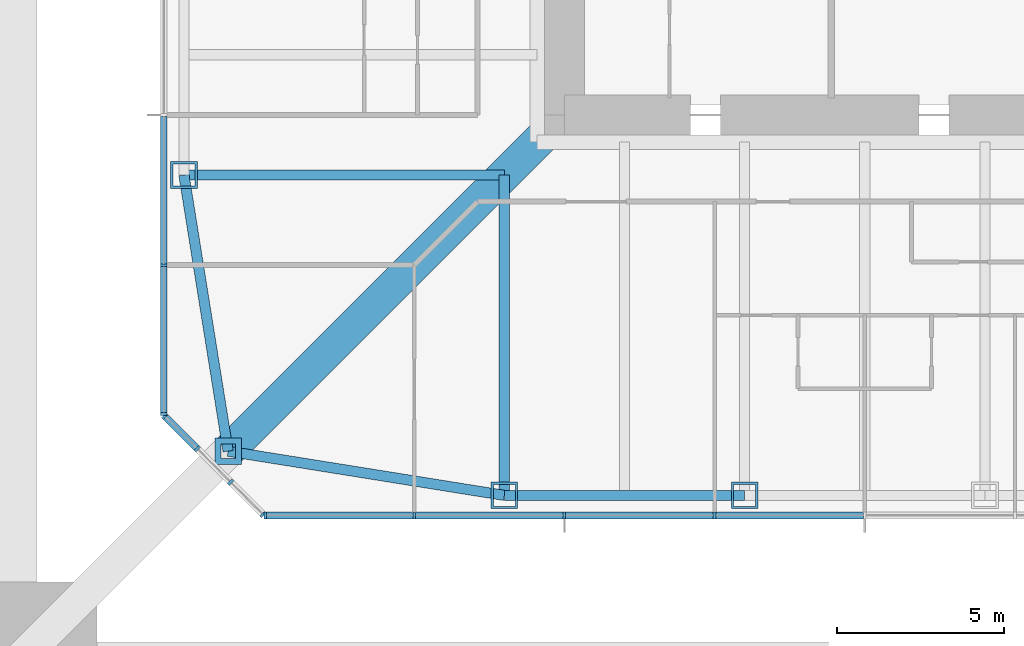
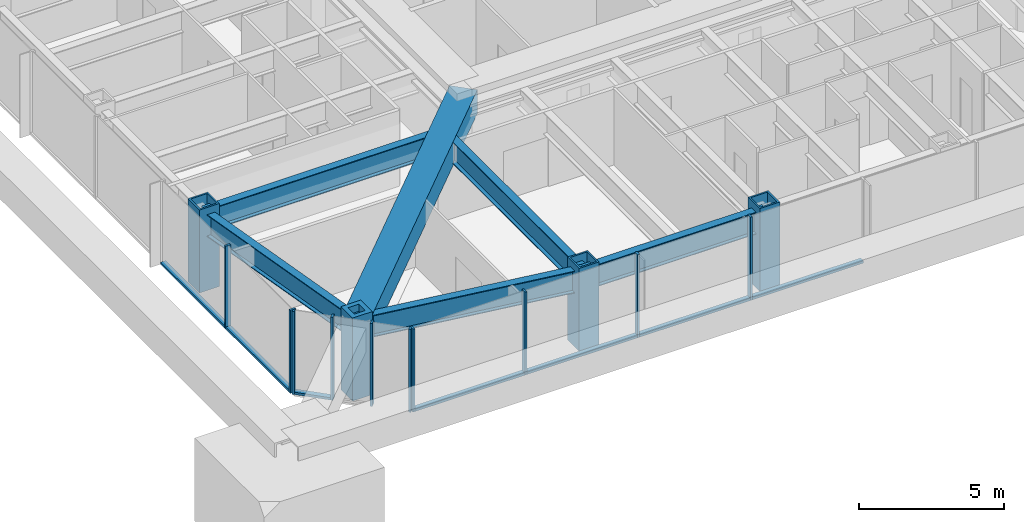
# One storey, part 2 of 20: 22 members, 5 beams, 3 elements without a shape of their own.
"""IFC4 building model written with IfcOpenShell, lengths in metres."""

from ifc_helpers import new_model, si_unit, direction, frame, origin, origin_2d, place, context, subcontext, project, spatial, rectangle, hollow_rectangle, i_section, extrude, material, material_profile, profile_set, type_object, element, aggregate, save


model = new_model("IFC4")

# Units and contexts
model_context = context("Model", 3, precision=1e-05, world=origin(), true_north=direction((0.0, 1.0)))
body_context = subcontext(model_context, "Body", "Model", "MODEL_VIEW")
ifc_project = project(units=[si_unit("LENGTHUNIT", "METRE"), si_unit("AREAUNIT", "SQUARE_METRE"), si_unit("VOLUMEUNIT", "CUBIC_METRE"), si_unit("PLANEANGLEUNIT", "RADIAN"), si_unit("MASSUNIT", "GRAM", prefix="KILO")], contexts=[model_context])

# Site, building, storey
site_placement = place(None, origin())
site = spatial("IfcSite", under=ifc_project, at=site_placement, CompositionType="ELEMENT")
building_placement = place(site_placement, origin())
building = spatial("IfcBuilding", under=site, at=building_placement, Name="Iwan Alto Co-Living Towers", CompositionType="ELEMENT")
storey_placement = place(building_placement, frame((0.0, 0.0, 140.0)))
storey = spatial("IfcBuildingStorey", under=building, at=storey_placement, Name="L38", CompositionType="ELEMENT", Elevation=140.0)

# Curtain wall, members
ifc_material_1 = material(Name="Bronze aluminium unitised frame", Category="aluminium")
curtain_wall_type_1 = type_object("IfcCurtainWallType", Name="CURTAIN WALL CW-A", PredefinedType="NOTDEFINED", material=ifc_material_1)
curtain_wall_1_placement = place(storey_placement, origin())
curtain_wall_1 = element("IfcCurtainWall", 1, at=curtain_wall_1_placement, inside=storey, type_object=curtain_wall_type_1, Name="T1 curtain wall S L38", PredefinedType="NOTDEFINED")
ifc_material_2 = material(Name="Aluminium 6063-T6 bronze anodised", Category="aluminium")
ifc_material_profile_1 = material_profile(ifc_material_2, rectangle(XDim=0.199951171875, YDim=0.080078125, at=origin_2d()), Name="AL 80X200")
ifc_profile_set_1 = profile_set([ifc_material_profile_1], Name="Aluminium 6063-T6 bronze anodised")
member_type_1 = type_object("IfcMemberType", Name="CW-A MULLION 80X200", PredefinedType="MULLION", material=ifc_profile_set_1)
member_1_placement = place(storey_placement, frame((-17.9599609375, -21.0, 0.0), z_axis=(0.0, 0.0, 1.0), x_axis=(0.0, 1.0, 0.0)))
member_1 = element("IfcMember", 2, at=member_1_placement, type_object=member_type_1, Name="CW-A mullion 1", PredefinedType="MULLION", context=body_context, shape_type="SweptSolid", body=[
    extrude(rectangle(XDim=0.199951171875, YDim=0.080078125, at=origin_2d()), origin(), (0.0, 0.0, 1.0), 3.5),
])
member_2_placement = place(storey_placement, frame((-13.5, -21.0, 0.0), z_axis=(0.0, 0.0, 1.0), x_axis=(0.0, 1.0, 0.0)))
member_2 = element("IfcMember", 3, at=member_2_placement, type_object=member_type_1, Name="CW-A mullion 2", PredefinedType="MULLION", context=body_context, shape_type="SweptSolid", body=[
    extrude(rectangle(XDim=0.199951171875, YDim=0.080078125, at=origin_2d()), origin(), (0.0, 0.0, 1.0), 3.5),
])
member_3_placement = place(storey_placement, frame((-9.0, -21.0, 0.0), z_axis=(0.0, 0.0, 1.0), x_axis=(0.0, 1.0, 0.0)))
member_3 = element("IfcMember", 4, at=member_3_placement, type_object=member_type_1, Name="CW-A mullion 3", PredefinedType="MULLION", context=body_context, shape_type="SweptSolid", body=[
    extrude(rectangle(XDim=0.199951171875, YDim=0.080078125, at=origin_2d()), origin(), (0.0, 0.0, 1.0), 3.5),
])
member_4_placement = place(storey_placement, frame((-4.5, -21.0, 0.0), z_axis=(0.0, 0.0, 1.0), x_axis=(0.0, 1.0, 0.0)))
member_4 = element("IfcMember", 5, at=member_4_placement, type_object=member_type_1, Name="CW-A mullion 4", PredefinedType="MULLION", context=body_context, shape_type="SweptSolid", body=[
    extrude(rectangle(XDim=0.199951171875, YDim=0.080078125, at=origin_2d()), origin(), (0.0, 0.0, 1.0), 3.5),
])

curtain_wall_2_placement = place(storey_placement, origin())
curtain_wall_2 = element("IfcCurtainWall", 6, at=curtain_wall_2_placement, inside=storey, type_object=curtain_wall_type_1, Name="T1 curtain wall W L38", PredefinedType="NOTDEFINED")
member_5_placement = place(storey_placement, frame((-21.0, -13.5, 0.0), z_axis=(0.0, 0.0, 1.0), x_axis=(1.0, 0.0, 0.0)))
member_5 = element("IfcMember", 7, at=member_5_placement, type_object=member_type_1, Name="CW-A mullion 8", PredefinedType="MULLION", context=body_context, shape_type="SweptSolid", body=[
    extrude(rectangle(XDim=0.199951171875, YDim=0.080078125, at=origin_2d()), origin(), (0.0, 0.0, 1.0), 3.5),
])
member_6_placement = place(storey_placement, frame((-21.0, -17.9599609375, 0.0), z_axis=(0.0, 0.0, 1.0), x_axis=(1.0, 0.0, 0.0)))
member_6 = element("IfcMember", 8, at=member_6_placement, type_object=member_type_1, Name="CW-A mullion 9", PredefinedType="MULLION", context=body_context, shape_type="SweptSolid", body=[
    extrude(rectangle(XDim=0.199951171875, YDim=0.080078125, at=origin_2d()), origin(), (0.0, 0.0, 1.0), 3.5),
])

# Member
ifc_material_3 = material(Name="Aluminium 6063-T6 bronze anodised", Category="aluminium")
ifc_material_profile_2 = material_profile(ifc_material_3, rectangle(XDim=0.199951171875, YDim=0.10009765625, at=origin_2d()), Name="AL 200X100")
ifc_profile_set_2 = profile_set([ifc_material_profile_2], Name="Aluminium 6063-T6 bronze anodised")
member_type_2 = type_object("IfcMemberType", Name="CW-A TRANSOM 200X100", PredefinedType="USERDEFINED", material=ifc_profile_set_2)
member_7_placement = place(storey_placement, frame((-17.919921875, -21.0, 0.050048828125), z_axis=(1.0, 0.0, 0.0), x_axis=(0.0, 1.0, 0.0)))
member_7 = element("IfcMember", 9, at=member_7_placement, type_object=member_type_2, Name="CW-A transom 1.1", ObjectType="TRANSOM", PredefinedType="USERDEFINED", context=body_context, shape_type="SweptSolid", body=[
    extrude(rectangle(XDim=0.199951171875, YDim=0.10009765625, at=origin_2d()), origin(), (0.0, 0.0, 1.0), 4.3798828125),
])

member_8_placement = place(storey_placement, frame((-13.4599609375, -21.0, 0.050048828125), z_axis=(1.0, 0.0, 0.0), x_axis=(0.0, 1.0, 0.0)))
member_8 = element("IfcMember", 10, at=member_8_placement, type_object=member_type_2, Name="CW-A transom 2.1", ObjectType="TRANSOM", PredefinedType="USERDEFINED", context=body_context, shape_type="SweptSolid", body=[
    extrude(rectangle(XDim=0.199951171875, YDim=0.10009765625, at=origin_2d()), origin(), (0.0, 0.0, 1.0), 4.419921875),
])

member_9_placement = place(storey_placement, frame((-8.9599609375, -21.0, 0.050048828125), z_axis=(1.0, 0.0, 0.0), x_axis=(0.0, 1.0, 0.0)))
member_9 = element("IfcMember", 11, at=member_9_placement, type_object=member_type_2, Name="CW-A transom 3.1", ObjectType="TRANSOM", PredefinedType="USERDEFINED", context=body_context, shape_type="SweptSolid", body=[
    extrude(rectangle(XDim=0.199951171875, YDim=0.10009765625, at=origin_2d()), origin(), (0.0, 0.0, 1.0), 4.419921875),
])

member_10_placement = place(storey_placement, frame((-4.4599609375, -21.0, 0.050048828125), z_axis=(1.0, 0.0, 0.0), x_axis=(0.0, 1.0, 0.0)))
member_10 = element("IfcMember", 12, at=member_10_placement, type_object=member_type_2, Name="CW-A transom 4.1", ObjectType="TRANSOM", PredefinedType="USERDEFINED", context=body_context, shape_type="SweptSolid", body=[
    extrude(rectangle(XDim=0.199951171875, YDim=0.10009765625, at=origin_2d()), origin(), (0.0, 0.0, 1.0), 4.419921875),
])

aggregate(curtain_wall_1, [member_1, member_2, member_3, member_4, member_7, member_8, member_9, member_10])

member_11_placement = place(storey_placement, frame((-21.0, -9.0400390625, 0.050048828125), z_axis=(0.0, -1.0, 0.0), x_axis=(1.0, 0.0, 0.0)))
member_11 = element("IfcMember", 13, at=member_11_placement, type_object=member_type_2, Name="CW-A transom 7.1", ObjectType="TRANSOM", PredefinedType="USERDEFINED", context=body_context, shape_type="SweptSolid", body=[
    extrude(rectangle(XDim=0.199951171875, YDim=0.10009765625, at=origin_2d()), origin(), (0.0, 0.0, 1.0), 4.419921875),
])

member_12_placement = place(storey_placement, frame((-21.0, -13.5400390625, 0.050048828125), z_axis=(0.0, -1.0, 0.0), x_axis=(1.0, 0.0, 0.0)))
member_12 = element("IfcMember", 14, at=member_12_placement, type_object=member_type_2, Name="CW-A transom 8.1", ObjectType="TRANSOM", PredefinedType="USERDEFINED", context=body_context, shape_type="SweptSolid", body=[
    extrude(rectangle(XDim=0.199951171875, YDim=0.10009765625, at=origin_2d()), origin(), (0.0, 0.0, 1.0), 4.3798828125),
])

aggregate(curtain_wall_2, [member_5, member_6, member_11, member_12])

# Curtain wall, members
ifc_material_4 = material(Name="Bronze aluminium unitised frame", Category="aluminium")
curtain_wall_type_2 = type_object("IfcCurtainWallType", Name="CURTAIN WALL CW-B", PredefinedType="NOTDEFINED", material=ifc_material_4)
curtain_wall_3_placement = place(storey_placement, origin())
curtain_wall_3 = element("IfcCurtainWall", 15, at=curtain_wall_3_placement, inside=storey, type_object=curtain_wall_type_2, Name="T1 chamfer curtain wall SW L38", PredefinedType="NOTDEFINED")
ifc_material_5 = material(Name="Aluminium 6063-T6 bronze anodised", Category="aluminium")
ifc_material_profile_3 = material_profile(ifc_material_5, rectangle(XDim=0.199951171875, YDim=0.080078125, at=origin_2d()), Name="AL 80X200")
ifc_profile_set_3 = profile_set([ifc_material_profile_3], Name="Aluminium 6063-T6 bronze anodised")
member_type_3 = type_object("IfcMemberType", Name="CW-B MULLION 80X200", PredefinedType="MULLION", material=ifc_profile_set_3)
member_13_placement = place(storey_placement, frame((-20.9716796875, -18.0283203125, 0.0), z_axis=(0.0, 0.0, 1.0), x_axis=(0.707106781187, 0.707106781187, 0.0)))
member_13 = element("IfcMember", 16, at=member_13_placement, type_object=member_type_3, Name="CW-B mullion 1", PredefinedType="MULLION", context=body_context, shape_type="SweptSolid", body=[
    extrude(rectangle(XDim=0.199951171875, YDim=0.080078125, at=origin_2d()), origin(), (0.0, 0.0, 1.0), 3.5),
])
member_14_placement = place(storey_placement, frame((-20.0, -19.0, 0.0), z_axis=(0.0, 0.0, 1.0), x_axis=(0.707106781187, 0.707106781187, 0.0)))
member_14 = element("IfcMember", 17, at=member_14_placement, type_object=member_type_3, Name="CW-B mullion 2", PredefinedType="MULLION", context=body_context, shape_type="SweptSolid", body=[
    extrude(rectangle(XDim=0.199951171875, YDim=0.080078125, at=origin_2d()), origin(), (0.0, 0.0, 1.0), 3.5),
])
member_15_placement = place(storey_placement, frame((-19.0, -20.0, 0.0), z_axis=(0.0, 0.0, 1.0), x_axis=(0.707106781187, 0.707106781187, 0.0)))
member_15 = element("IfcMember", 18, at=member_15_placement, type_object=member_type_3, Name="CW-B mullion 3", PredefinedType="MULLION", context=body_context, shape_type="SweptSolid", body=[
    extrude(rectangle(XDim=0.199951171875, YDim=0.080078125, at=origin_2d()), origin(), (0.0, 0.0, 1.0), 3.5),
])
member_16_placement = place(storey_placement, frame((-18.0283203125, -20.9716796875, 0.0), z_axis=(0.0, 0.0, 1.0), x_axis=(0.707106781187, 0.707106781187, 0.0)))
member_16 = element("IfcMember", 19, at=member_16_placement, type_object=member_type_3, Name="CW-B mullion 4", PredefinedType="MULLION", context=body_context, shape_type="SweptSolid", body=[
    extrude(rectangle(XDim=0.199951171875, YDim=0.080078125, at=origin_2d()), origin(), (0.0, 0.0, 1.0), 3.5),
])
ifc_material_6 = material(Name="Aluminium 6063-T6 bronze anodised", Category="aluminium")
ifc_material_profile_4 = material_profile(ifc_material_6, rectangle(XDim=0.199951171875, YDim=0.10009765625, at=origin_2d()), Name="AL 200X100")
ifc_profile_set_4 = profile_set([ifc_material_profile_4], Name="Aluminium 6063-T6 bronze anodised")
member_type_4 = type_object("IfcMemberType", Name="CW-B TRANSOM 200X100", PredefinedType="USERDEFINED", material=ifc_profile_set_4)
member_17_placement = place(storey_placement, frame((-20.943359375, -18.056640625, 0.050048828125), z_axis=(0.707106781187, -0.707106781187, 0.0), x_axis=(0.707106781187, 0.707106781187, 0.0)))
member_17 = element("IfcMember", 20, at=member_17_placement, type_object=member_type_4, Name="CW-B transom 1.1", ObjectType="TRANSOM", PredefinedType="USERDEFINED", context=body_context, shape_type="SweptSolid", body=[
    extrude(rectangle(XDim=0.199951171875, YDim=0.10009765625, at=origin_2d()), origin(), (0.0, 0.0, 1.0), 1.2939453125),
])
aggregate(curtain_wall_3, [member_13, member_14, member_15, member_16, member_17])

# Beams
ifc_material_7 = material(Name="Steel ASTM A992 Gr 50", Category="steel")
ifc_material_profile_5 = material_profile(ifc_material_7, i_section(OverallWidth=0.307373046875, OverallDepth=0.927001953125, WebThickness=0.01953125, FlangeThickness=0.031982421875, at=origin_2d()), Name="W36X194")
ifc_profile_set_5 = profile_set([ifc_material_profile_5], Name="Steel ASTM A992 Gr 50")
beam_type_1 = type_object("IfcBeamType", Name="T1 BELT TRUSS CHORD W36X194", PredefinedType="BEAM", material=ifc_profile_set_5)
beam_1_placement = place(storey_placement, frame((-19.07568359375, -19.07568359375, 2.736328125), z_axis=(0.987438450439, -0.158004134737, 0.0), x_axis=(0.158004134737, 0.987438450439, 0.0)))
element("IfcBeam", 21, at=beam_1_placement, inside=storey, type_object=beam_type_1, Name="T1 edge beam CSW L39", PredefinedType="BEAM", context=body_context, shape_type="SweptSolid", body=[
    extrude(i_section(OverallWidth=0.307373046875, OverallDepth=0.927001953125, WebThickness=0.01953125, FlangeThickness=0.031982421875, at=origin_2d()), origin(), (0.0, 0.0, 1.0), 8.380859375),
])
beam_2_placement = place(storey_placement, frame((-10.800048828125, -20.39990234375, 2.736328125), z_axis=(1.0, 0.0, 0.0), x_axis=(0.0, 1.0, 0.0)))
element("IfcBeam", 22, at=beam_2_placement, inside=storey, type_object=beam_type_1, Name="T1 edge beam S1 L39", PredefinedType="BEAM", context=body_context, shape_type="SweptSolid", body=[
    extrude(i_section(OverallWidth=0.307373046875, OverallDepth=0.927001953125, WebThickness=0.01953125, FlangeThickness=0.031982421875, at=origin_2d()), origin(), (0.0, 0.0, 1.0), 7.199951171875),
])
beam_3_placement = place(storey_placement, frame((-20.39990234375, -10.800048828125, 2.736328125), z_axis=(0.158004134737, -0.987438450439, 0.0), x_axis=(0.987438450439, 0.158004134737, 0.0)))
element("IfcBeam", 23, at=beam_3_placement, inside=storey, type_object=beam_type_1, Name="T1 edge beam W4 L39", PredefinedType="BEAM", context=body_context, shape_type="SweptSolid", body=[
    extrude(i_section(OverallWidth=0.307373046875, OverallDepth=0.927001953125, WebThickness=0.01953125, FlangeThickness=0.031982421875, at=origin_2d()), origin(), (0.0, 0.0, 1.0), 8.380859375),
])

# Members
ifc_material_8 = material(Name="Steel ASTM A36", Category="steel")
ifc_material_profile_6 = material_profile(ifc_material_8, hollow_rectangle(XDim=0.800048828125, YDim=0.800048828125, WallThickness=0.179931640625, at=origin_2d()), Name="BOX 800X800X180")
ifc_profile_set_6 = profile_set([ifc_material_profile_6], Name="Steel ASTM A36")
member_type_5 = type_object("IfcMemberType", Name="T1 HEAVY RING POST AT STEP BOX 800X800X180", PredefinedType="MEMBER", material=ifc_profile_set_6)
member_18_placement = place(storey_placement, frame((-19.07568359375, -19.07568359375, 0.0), z_axis=(0.0, 0.0, 1.0), x_axis=(1.0, 0.0, 0.0)))
element("IfcMember", 24, at=member_18_placement, inside=storey, type_object=member_type_5, Name="T1 ring post at step CSW L38", PredefinedType="MEMBER", context=body_context, shape_type="SweptSolid", body=[
    extrude(hollow_rectangle(XDim=0.800048828125, YDim=0.800048828125, WallThickness=0.179931640625, at=origin_2d()), origin(), (0.0, 0.0, 1.0), 3.5),
])
ifc_material_9 = material(Name="Steel ASTM A572 Gr 50", Category="steel")
ifc_material_profile_7 = material_profile(ifc_material_9, hollow_rectangle(XDim=1.0, YDim=1.0, WallThickness=0.070068359375, at=origin_2d()), Name="BOX 1000X1000X70")
ifc_profile_set_7 = profile_set([ifc_material_profile_7], Name="Steel ASTM A572 Gr 50")
member_type_6 = type_object("IfcMemberType", Name="T1 OUTRIGGER CHORD BOX 1000X1000X70", PredefinedType="CHORD", material=ifc_profile_set_7)
member_19_placement = place(storey_placement, frame((-9.0, -9.0, 2.699951171875), z_axis=(-0.707106781187, -0.707106781187, 0.0), x_axis=(0.707106781187, -0.707106781187, 0.0)))
element("IfcMember", 25, at=member_19_placement, inside=storey, type_object=member_type_6, Name="T1 outrigger SW L39 bottom chord 1", PredefinedType="CHORD", context=body_context, shape_type="SweptSolid", body=[
    extrude(hollow_rectangle(XDim=1.0, YDim=1.0, WallThickness=0.070068359375, at=origin_2d()), origin(), (0.0, 0.0, 1.0), 14.249267578125),
])

# Beams
ifc_material_10 = material(Name="Steel ASTM A992 Gr 50", Category="steel")
ifc_material_profile_8 = material_profile(ifc_material_10, i_section(OverallWidth=0.307373046875, OverallDepth=0.927001953125, WebThickness=0.01953125, FlangeThickness=0.031982421875, at=origin_2d()), Name="W36X194")
ifc_profile_set_8 = profile_set([ifc_material_profile_8], Name="Steel ASTM A992 Gr 50")
beam_type_2 = type_object("IfcBeamType", Name="T1 RADIAL BEAM W36X194", PredefinedType="BEAM", material=ifc_profile_set_8)
for number, where, z_axis, x_axis, name in (
    (26, (-10.800048828125, -20.39990234375, 2.736328125), (0.0, 1.0, 0.0), (-1.0, 0.0, 0.0), "T1 radial beam S1 L39"),
    (27, (-20.39990234375, -10.800048828125, 2.736328125), (1.0, 0.0, 0.0), (0.0, 1.0, 0.0), "T1 radial beam W4 L39"),
):
    element("IfcBeam", number, at=place(storey_placement, frame(where, z_axis=z_axis, x_axis=x_axis)), inside=storey, type_object=beam_type_2, Name=name, PredefinedType="BEAM", context=body_context, shape_type="SweptSolid", body=[
        extrude(i_section(OverallWidth=0.307373046875, OverallDepth=0.927001953125, WebThickness=0.01953125, FlangeThickness=0.031982421875, at=origin_2d()), origin(), (0.0, 0.0, 1.0), 9.599853515625),
    ])

# Members
ifc_material_11 = material(Name="Steel ASTM A572 Gr 50", Category="steel")
ifc_material_profile_9 = material_profile(ifc_material_11, hollow_rectangle(XDim=0.800048828125, YDim=0.800048828125, WallThickness=0.070068359375, at=origin_2d()), Name="BOX 800X800X70")
ifc_profile_set_9 = profile_set([ifc_material_profile_9], Name="Steel ASTM A572 Gr 50")
member_type_7 = type_object("IfcMemberType", Name="T1 RING POST AT STEP BOX 800X800X70", PredefinedType="MEMBER", material=ifc_profile_set_9)
for number, where, z_axis, x_axis, name in (
    (28, (-10.800048828125, -20.39990234375, 0.0), (0.0, 0.0, 1.0), (1.0, 0.0, 0.0), "T1 ring post at step S1 L38"),
    (29, (-3.60009765625, -20.39990234375, 0.0), (0.0, 0.0, 1.0), (1.0, 0.0, 0.0), "T1 ring post at step S2 L38"),
    (30, (-20.39990234375, -10.800048828125, 0.0), (0.0, 0.0, 1.0), (1.0, 0.0, 0.0), "T1 ring post at step W4 L38"),
):
    element("IfcMember", number, at=place(storey_placement, frame(where, z_axis=z_axis, x_axis=x_axis)), inside=storey, type_object=member_type_7, Name=name, PredefinedType="MEMBER", context=body_context, shape_type="SweptSolid", body=[
        extrude(hollow_rectangle(XDim=0.800048828125, YDim=0.800048828125, WallThickness=0.070068359375, at=origin_2d()), origin(), (0.0, 0.0, 1.0), 3.5),
    ])

save(model, "model.ifc")
